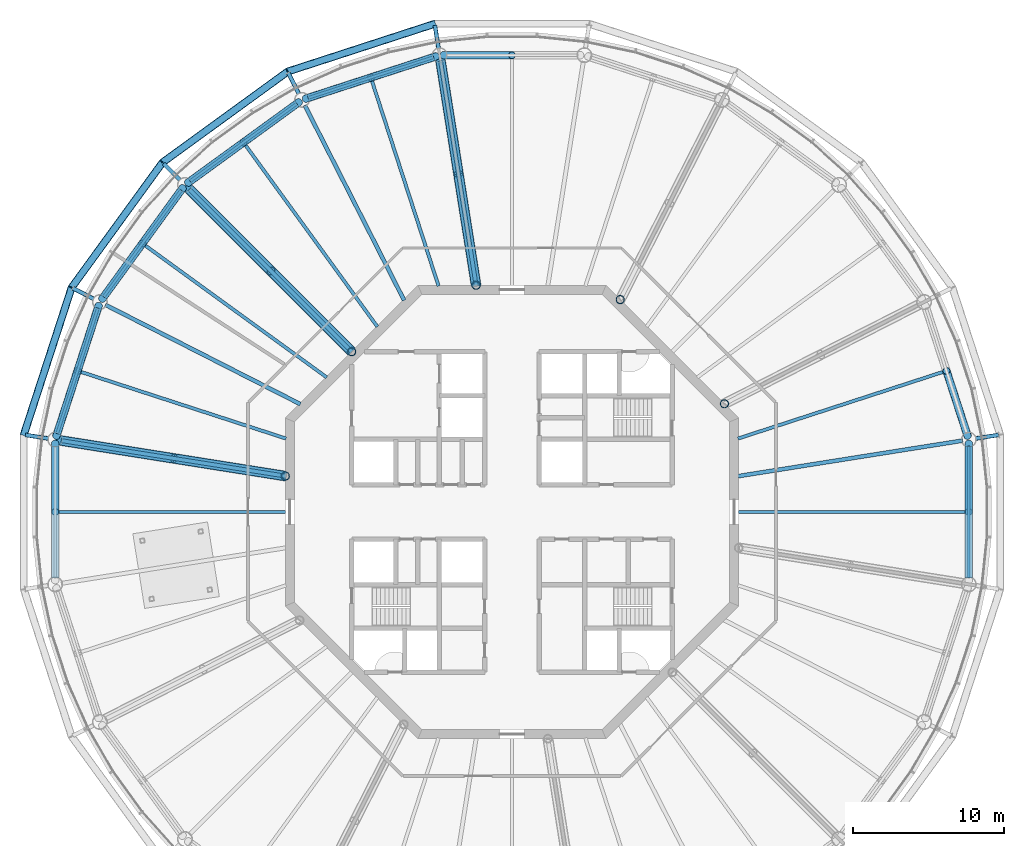
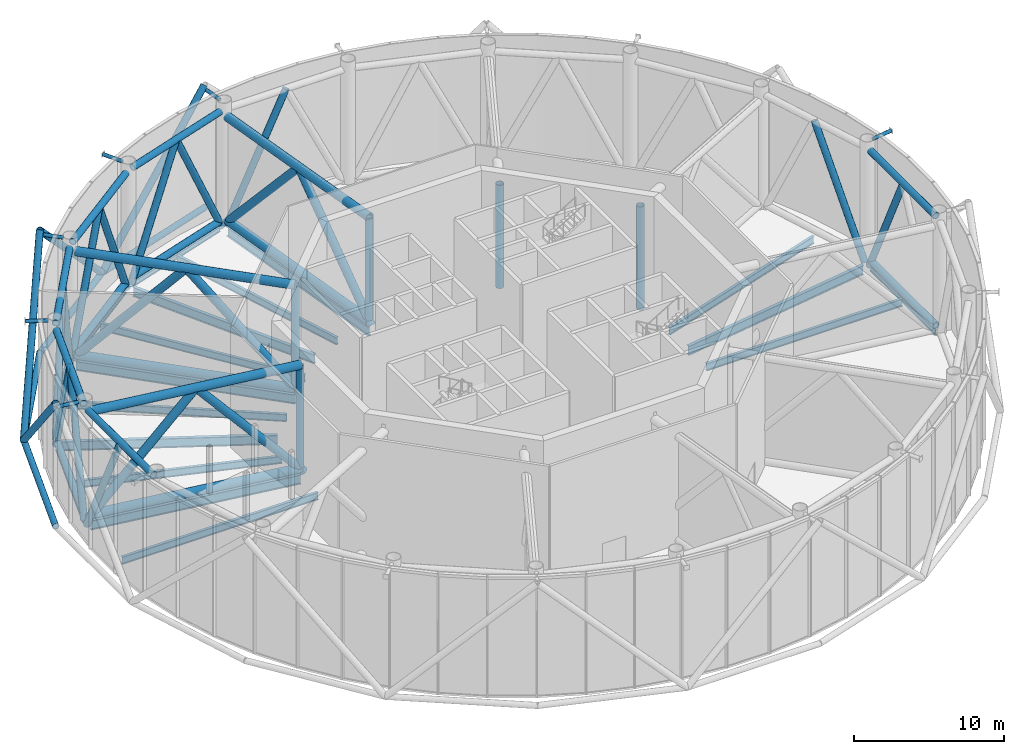
# One storey, part 3 of 23: 54 members, 18 beams.
"""IFC4 building model written with IfcOpenShell, lengths in metres."""

from ifc_helpers import new_model, si_unit, direction, frame, origin, origin_2d, place, context, subcontext, project, spatial, circle, hollow_circle, i_section, extrude, material, material_profile, profile_set, type_object, element, save


model = new_model("IFC4")

# Units and contexts
model_context = context("Model", 3, precision=1e-05, world=origin(), true_north=direction((0.0, 1.0)))
body_context = subcontext(model_context, "Body", "Model", "MODEL_VIEW")
ifc_project = project(units=[si_unit("LENGTHUNIT", "METRE"), si_unit("AREAUNIT", "SQUARE_METRE"), si_unit("VOLUMEUNIT", "CUBIC_METRE"), si_unit("PLANEANGLEUNIT", "RADIAN"), si_unit("MASSUNIT", "GRAM", prefix="KILO")], contexts=[model_context])

# Site, building, storey
site_placement = place(None, origin())
site = spatial("IfcSite", under=ifc_project, at=site_placement, CompositionType="ELEMENT")
building_placement = place(site_placement, origin())
building = spatial("IfcBuilding", under=site, at=building_placement, Name="Entoto Ring Tower", CompositionType="ELEMENT")
storey_placement = place(building_placement, frame((0.0, 0.0, 392.0)))
storey = spatial("IfcBuildingStorey", under=building, at=storey_placement, Name="L91", CompositionType="ELEMENT", Elevation=392.0)

# Members
ifc_material_1 = material(Name="Steel S355", Category="steel")
ifc_material_profile_1 = material_profile(ifc_material_1, hollow_circle(Radius=0.25390625, WallThickness=0.030029296875, at=origin_2d()), Name="CHS 508 x 30")
ifc_material_2 = material(Name="Concrete C60/75", Category="concrete")
ifc_material_profile_2 = material_profile(ifc_material_2, circle(Radius=0.22412109375, at=origin_2d()), Name="Concrete C60/75 infill")
ifc_profile_set_1 = profile_set([ifc_material_profile_1, ifc_material_profile_2], Name="Steel S355")
member_type_1 = type_object("IfcMemberType", Name="Diagrid diagonal 508 x 30 concrete-filled tube", PredefinedType="BRACE", material=ifc_profile_set_1)
member_1_placement = place(storey_placement, frame((75.154541015625, 109.135986328125, 0.0), z_axis=(0.680124223671, 0.220979790543, 0.698998549746), x_axis=(-0.309009448885, 0.95105896794, 0.0)))
element("IfcMember", 1, at=member_1_placement, inside=storey, type_object=member_type_1, Name="DG7 module 29 07", PredefinedType="BRACE", context=body_context, shape_type="SweptSolid", body=[
    extrude(hollow_circle(Radius=0.25390625, WallThickness=0.030029296875, at=origin_2d()), origin(), (0.0, 0.0, 1.0), 14.30615234375),
])
for number, where, z_axis, x_axis, name in (
    (2, (75.154541015625, 109.135986328125, 0.0), (-0.578545680196, -0.420350928989, 0.698992126153), (0.587797047665, -0.809008424404, 0.0), "DG7 module 29 08"),
    (3, (60.864013671875, 94.845458984375, 0.0), (0.420350928989, 0.578545680196, 0.698992126153), (-0.809008424404, 0.587797047665, 0.0), "DG7 module 29 09"),
):
    element("IfcMember", number, at=place(storey_placement, frame(where, z_axis=z_axis, x_axis=x_axis)), inside=storey, type_object=member_type_1, Name=name, PredefinedType="BRACE", context=body_context, shape_type="SweptSolid", body=[
        extrude(hollow_circle(Radius=0.25390625, WallThickness=0.030029296875, at=origin_2d()), origin(), (0.0, 0.0, 1.0), 14.306396484375),
    ])
member_2_placement = place(storey_placement, frame((60.864013671875, 94.845458984375, 0.0), z_axis=(-0.220979790543, -0.680124223671, 0.698998549746), x_axis=(0.95105896794, -0.309009448885, 0.0)))
element("IfcMember", 4, at=member_2_placement, inside=storey, type_object=member_type_1, Name="DG7 module 29 10", PredefinedType="BRACE", context=body_context, shape_type="SweptSolid", body=[
    extrude(hollow_circle(Radius=0.25390625, WallThickness=0.030029296875, at=origin_2d()), origin(), (0.0, 0.0, 1.0), 14.30615234375),
])
ifc_material_3 = material(Name="Steel S355", Category="steel")
ifc_material_profile_3 = material_profile(ifc_material_3, hollow_circle(Radius=0.136474609375, WallThickness=0.012451171875, at=origin_2d()), Name="CHS 273 x 12.5")
ifc_material_4 = material(Name="Concrete C60/75", Category="concrete")
ifc_material_profile_4 = material_profile(ifc_material_4, circle(Radius=0.1240234375, at=origin_2d()), Name="Concrete C60/75 infill")
ifc_profile_set_2 = profile_set([ifc_material_profile_3, ifc_material_profile_4], Name="Steel S355")
member_type_2 = type_object("IfcMemberType", Name="Diagrid node strut 273 x 12.5", PredefinedType="STRUT", material=ifc_profile_set_2)
member_3_placement = place(storey_placement, frame((85.14111328125, 110.678466796875, 9.71337890625), z_axis=(-0.156548977711, 0.987670196765, 0.0), x_axis=(-0.987670196765, -0.156548977711, 0.0)))
element("IfcMember", 5, at=member_3_placement, inside=storey, type_object=member_type_2, Name="DS2 strut ring 29 05", PredefinedType="STRUT", context=body_context, shape_type="SweptSolid", body=[
    extrude(hollow_circle(Radius=0.136474609375, WallThickness=0.012451171875, at=origin_2d()), origin(), (0.0, 0.0, 1.0), 1.539306640625),
])
member_4_placement = place(storey_placement, frame((75.898681640625, 107.675537109375, 9.71337890625), z_axis=(-0.453989939363, 0.891006809714, 0.0), x_axis=(-0.891006809714, -0.453989939363, 0.0)))
element("IfcMember", 6, at=member_4_placement, inside=storey, type_object=member_type_2, Name="DS2 strut ring 29 06", PredefinedType="STRUT", context=body_context, shape_type="SweptSolid", body=[
    extrude(hollow_circle(Radius=0.136474609375, WallThickness=0.012451171875, at=origin_2d()), origin(), (0.0, 0.0, 1.0), 1.5390625),
])
member_5_placement = place(storey_placement, frame((68.03662109375, 101.96337890625, 9.71337890625), z_axis=(-0.707106781187, 0.707106781187, 0.0), x_axis=(-0.707106781187, -0.707106781187, 0.0)))
element("IfcMember", 7, at=member_5_placement, inside=storey, type_object=member_type_2, Name="DS2 strut ring 29 07", PredefinedType="STRUT", context=body_context, shape_type="SweptSolid", body=[
    extrude(hollow_circle(Radius=0.136474609375, WallThickness=0.012451171875, at=origin_2d()), origin(), (0.0, 0.0, 1.0), 1.539306640625),
])
member_6_placement = place(storey_placement, frame((62.324462890625, 94.101318359375, 9.71337890625), z_axis=(-0.891006809714, 0.453989939363, 0.0), x_axis=(-0.453989939363, -0.891006809714, 0.0)))
element("IfcMember", 8, at=member_6_placement, inside=storey, type_object=member_type_2, Name="DS2 strut ring 29 08", PredefinedType="STRUT", context=body_context, shape_type="SweptSolid", body=[
    extrude(hollow_circle(Radius=0.136474609375, WallThickness=0.012451171875, at=origin_2d()), origin(), (0.0, 0.0, 1.0), 1.5390625),
])
for number, where, z_axis, x_axis, name in (
    (9, (59.321533203125, 84.85888671875, 9.71337890625), (-0.987670196765, 0.156548977711, 0.0), (-0.156548977711, -0.987670196765, 0.0), "DS2 strut ring 29 09"),
    (10, (120.678466796875, 84.85888671875, 9.71337890625), (0.987670196765, 0.156548977711, 0.0), (-0.156548977711, 0.987670196765, 0.0), "DS2 strut ring 29 20"),
):
    element("IfcMember", number, at=place(storey_placement, frame(where, z_axis=z_axis, x_axis=x_axis)), inside=storey, type_object=member_type_2, Name=name, PredefinedType="STRUT", context=body_context, shape_type="SweptSolid", body=[
        extrude(hollow_circle(Radius=0.136474609375, WallThickness=0.012451171875, at=origin_2d()), origin(), (0.0, 0.0, 1.0), 1.539306640625),
    ])
ifc_material_5 = material(Name="Steel S355", Category="steel")
ifc_material_profile_5 = material_profile(ifc_material_5, hollow_circle(Radius=0.228515625, WallThickness=0.02001953125, at=origin_2d()), Name="CHS 457 x 20")
ifc_material_6 = material(Name="Concrete C60/75", Category="concrete")
ifc_material_profile_6 = material_profile(ifc_material_6, circle(Radius=0.20849609375, at=origin_2d()), Name="Concrete C60/75 infill")
ifc_profile_set_3 = profile_set([ifc_material_profile_5, ifc_material_profile_6], Name="Steel S355")
member_type_3 = type_object("IfcMemberType", Name="Diagrid ring beam 457 x 20", PredefinedType="CHORD", material=ifc_profile_set_3)
member_7_placement = place(storey_placement, frame((84.93798828125, 112.314697265625, 0.0), z_axis=(-0.951061125206, -0.309002809244, 0.0), x_axis=(0.309002809244, -0.951061125206, 0.0)))
element("IfcMember", 11, at=member_7_placement, inside=storey, type_object=member_type_3, Name="DR3 ring 28 06", PredefinedType="CHORD", context=body_context, shape_type="SweptSolid", body=[
    extrude(hollow_circle(Radius=0.228515625, WallThickness=0.02001953125, at=origin_2d()), origin(), (0.0, 0.0, 1.0), 10.343017578125),
])
for number, where, z_axis, x_axis, name in (
    (12, (75.199951171875, 109.1689453125, 0.0), (-0.809019745966, -0.587781465034, 0.0), (0.587781465034, -0.809019745966, 0.0), "DR3 ring 28 07"),
    (13, (66.91064453125, 103.16796875, 0.0), (-0.587781465034, -0.809019745966, 0.0), (0.809019745966, -0.587781465034, 0.0), "DR3 ring 28 08"),
):
    element("IfcMember", number, at=place(storey_placement, frame(where, z_axis=z_axis, x_axis=x_axis)), inside=storey, type_object=member_type_3, Name=name, PredefinedType="CHORD", context=body_context, shape_type="SweptSolid", body=[
        extrude(hollow_circle(Radius=0.228515625, WallThickness=0.02001953125, at=origin_2d()), origin(), (0.0, 0.0, 1.0), 10.34326171875),
    ])
member_8_placement = place(storey_placement, frame((60.88134765625, 94.89892578125, 0.0), z_axis=(-0.309002809244, -0.951061125206, 0.0), x_axis=(0.951061125206, -0.309002809244, 0.0)))
element("IfcMember", 14, at=member_8_placement, inside=storey, type_object=member_type_3, Name="DR3 ring 28 09", PredefinedType="CHORD", context=body_context, shape_type="SweptSolid", body=[
    extrude(hollow_circle(Radius=0.228515625, WallThickness=0.02001953125, at=origin_2d()), origin(), (0.0, 0.0, 1.0), 10.343017578125),
])

# Beams
ifc_material_7 = material(Name="Steel S355", Category="steel")
ifc_material_profile_7 = material_profile(ifc_material_7, i_section(OverallWidth=0.179931640625, OverallDepth=0.39990234375, WebThickness=0.008544921875, FlangeThickness=0.013427734375, FilletRadius=0.02099609375, at=origin_2d()), Name="IPE 400")
ifc_profile_set_4 = profile_set([ifc_material_profile_7], Name="Steel S355")
beam_type_1 = type_object("IfcBeamType", Name="Edge beam IPE 400", PredefinedType="SPANDREL", material=ifc_profile_set_4)
beam_1_placement = place(storey_placement, frame((84.812744140625, 110.09326171875, -0.35009765625), z_axis=(-0.951052147972, -0.309030438368, 0.0), x_axis=(0.309030438368, -0.951052147972, 0.0)))
element("IfcBeam", 15, at=beam_1_placement, inside=storey, type_object=beam_type_1, Name="Edge beam L91 06", PredefinedType="SPANDREL", context=body_context, shape_type="SweptSolid", body=[
    extrude(i_section(OverallWidth=0.179931640625, OverallDepth=0.39990234375, WebThickness=0.008544921875, FlangeThickness=0.013427734375, FilletRadius=0.02099609375, at=origin_2d()), origin(), (0.0, 0.0, 1.0), 8.732177734375),
])
for number, where, z_axis, x_axis, name in (
    (16, (75.767333984375, 107.017333984375, -0.35009765625), (-0.80901045354, -0.587794254874, 0.0), (0.587794254874, -0.80901045354, 0.0), "Edge beam L91 07"),
    (17, (68.115234375, 101.296875, -0.35009765625), (-0.587794254874, -0.80901045354, 0.0), (0.80901045354, -0.587794254874, 0.0), "Edge beam L91 08"),
):
    element("IfcBeam", number, at=place(storey_placement, frame(where, z_axis=z_axis, x_axis=x_axis)), inside=storey, type_object=beam_type_1, Name=name, PredefinedType="SPANDREL", context=body_context, shape_type="SweptSolid", body=[
        extrude(i_section(OverallWidth=0.179931640625, OverallDepth=0.39990234375, WebThickness=0.008544921875, FlangeThickness=0.013427734375, FilletRadius=0.02099609375, at=origin_2d()), origin(), (0.0, 0.0, 1.0), 8.73193359375),
    ])
beam_2_placement = place(storey_placement, frame((62.605224609375, 93.491943359375, -0.35009765625), z_axis=(-0.309030438368, -0.951052147972, 0.0), x_axis=(0.951052147972, -0.309030438368, 0.0)))
element("IfcBeam", 18, at=beam_2_placement, inside=storey, type_object=beam_type_1, Name="Edge beam L91 09", PredefinedType="SPANDREL", context=body_context, shape_type="SweptSolid", body=[
    extrude(i_section(OverallWidth=0.179931640625, OverallDepth=0.39990234375, WebThickness=0.008544921875, FlangeThickness=0.013427734375, FilletRadius=0.02099609375, at=origin_2d()), origin(), (0.0, 0.0, 1.0), 8.732177734375),
])
beam_3_placement = place(storey_placement, frame((120.22314453125, 75.634033203125, -0.35009765625), z_axis=(0.0, 1.0, 0.0), x_axis=(-1.0, 0.0, 0.0)))
element("IfcBeam", 19, at=beam_3_placement, inside=storey, type_object=beam_type_1, Name="Edge beam L91 20", PredefinedType="SPANDREL", context=body_context, shape_type="SweptSolid", body=[
    extrude(i_section(OverallWidth=0.179931640625, OverallDepth=0.39990234375, WebThickness=0.008544921875, FlangeThickness=0.013427734375, FilletRadius=0.02099609375, at=origin_2d()), origin(), (0.0, 0.0, 1.0), 8.73193359375),
])

# Members
ifc_material_8 = material(Name="Steel S355", Category="steel")
ifc_material_profile_8 = material_profile(ifc_material_8, hollow_circle(Radius=0.330078125, WallThickness=0.031982421875, at=origin_2d()), Name="CHS 660 x 32")
ifc_material_9 = material(Name="Concrete C60/75", Category="concrete")
ifc_material_profile_9 = material_profile(ifc_material_9, circle(Radius=0.298095703125, at=origin_2d()), Name="Concrete C60/75 infill")
ifc_profile_set_5 = profile_set([ifc_material_profile_8, ifc_material_profile_9], Name="Steel S355")
member_type_4 = type_object("IfcMemberType", Name="Outrigger chord 660 x 32", PredefinedType="CHORD", material=ifc_profile_set_5)
for number, where, z_axis, x_axis, name in (
    (20, (87.635498046875, 94.9287109375, 0.330078125), (-0.15642824984, 0.987689324966, 0.0), (-0.987689324966, -0.15642824984, 0.0), "OR1C L91 bottom 03"),
    (21, (87.635498046875, 94.9287109375, 8.76708984375), (-0.15642824984, 0.987689324966, 0.0), (-0.987689324966, -0.15642824984, 0.0), "OR1C L91 top 03"),
):
    element("IfcMember", number, at=place(storey_placement, frame(where, z_axis=z_axis, x_axis=x_axis)), inside=storey, type_object=member_type_4, Name=name, PredefinedType="CHORD", context=body_context, shape_type="SweptSolid", body=[
        extrude(hollow_circle(Radius=0.330078125, WallThickness=0.031982421875, at=origin_2d()), origin(), (0.0, 0.0, 1.0), 15.129638671875),
    ])
for number, where, z_axis, x_axis, name in (
    (22, (79.407470703125, 90.592529296875, 0.330078125), (-0.707106781187, 0.707106781187, 0.0), (-0.707106781187, -0.707106781187, 0.0), "OR1C L91 bottom 04"),
    (23, (79.407470703125, 90.592529296875, 8.76708984375), (-0.707106781187, 0.707106781187, 0.0), (-0.707106781187, -0.707106781187, 0.0), "OR1C L91 top 04"),
):
    element("IfcMember", number, at=place(storey_placement, frame(where, z_axis=z_axis, x_axis=x_axis)), inside=storey, type_object=member_type_4, Name=name, PredefinedType="CHORD", context=body_context, shape_type="SweptSolid", body=[
        extrude(hollow_circle(Radius=0.330078125, WallThickness=0.031982421875, at=origin_2d()), origin(), (0.0, 0.0, 1.0), 15.26416015625),
    ])
for number, where, z_axis, x_axis, name in (
    (24, (75.0712890625, 82.364501953125, 0.330078125), (-0.987689324966, 0.15642824984, 0.0), (-0.15642824984, -0.987689324966, 0.0), "OR1C L91 bottom 05"),
    (25, (75.0712890625, 82.364501953125, 8.76708984375), (-0.987689324966, 0.15642824984, 0.0), (-0.15642824984, -0.987689324966, 0.0), "OR1C L91 top 05"),
):
    element("IfcMember", number, at=place(storey_placement, frame(where, z_axis=z_axis, x_axis=x_axis)), inside=storey, type_object=member_type_4, Name=name, PredefinedType="CHORD", context=body_context, shape_type="SweptSolid", body=[
        extrude(hollow_circle(Radius=0.330078125, WallThickness=0.031982421875, at=origin_2d()), origin(), (0.0, 0.0, 1.0), 15.129638671875),
    ])
ifc_material_10 = material(Name="Steel S355", Category="steel")
ifc_material_profile_10 = material_profile(ifc_material_10, hollow_circle(Radius=0.304931640625, WallThickness=0.030029296875, at=origin_2d()), Name="CHS 610 x 30")
ifc_material_11 = material(Name="Concrete C60/75", Category="concrete")
ifc_material_profile_11 = material_profile(ifc_material_11, circle(Radius=0.27490234375, at=origin_2d()), Name="Concrete C60/75 infill")
ifc_profile_set_6 = profile_set([ifc_material_profile_10, ifc_material_profile_11], Name="Steel S355")
member_type_5 = type_object("IfcMemberType", Name="Outrigger diagonal 610 x 30", PredefinedType="BRACE", material=ifc_profile_set_6)
member_9_placement = place(storey_placement, frame((87.662841796875, 94.756591796875, 0.051025390625), z_axis=(-0.103599263491, 0.654064799064, 0.749310637339), x_axis=(-0.987687039489, -0.156442679682, 0.0)))
element("IfcMember", 26, at=member_9_placement, inside=storey, type_object=member_type_5, Name="OR2C L91 03 1", PredefinedType="BRACE", context=body_context, shape_type="SweptSolid", body=[
    extrude(hollow_circle(Radius=0.304931640625, WallThickness=0.030029296875, at=origin_2d()), origin(), (0.0, 0.0, 1.0), 11.632080078125),
])
member_10_placement = place(storey_placement, frame((86.457763671875, 102.36474609375, 8.76708984375), z_axis=(-0.103599840338, 0.654067185785, -0.749308474236), x_axis=(-0.987686993101, -0.156442972546, 0.0)))
element("IfcMember", 27, at=member_10_placement, inside=storey, type_object=member_type_5, Name="OR2C L91 03 2", PredefinedType="BRACE", context=body_context, shape_type="SweptSolid", body=[
    extrude(hollow_circle(Radius=0.304931640625, WallThickness=0.030029296875, at=origin_2d()), origin(), (0.0, 0.0, 1.0), 11.625),
])
for number, where, z_axis, x_axis, name in (
    (28, (79.5634765625, 90.4365234375, 0.06103515625), (-0.471527984859, 0.471527984859, 0.745199784615), (-0.707106781187, -0.707106781187, 0.0), "OR2C L91 04 1"),
    (29, (74.0546875, 95.9453125, 8.76708984375), (-0.471527984859, 0.471527984859, -0.745199784615), (-0.707106781187, -0.707106781187, 0.0), "OR2C L91 04 2"),
):
    element("IfcMember", number, at=place(storey_placement, frame(where, z_axis=z_axis, x_axis=x_axis)), inside=storey, type_object=member_type_5, Name=name, PredefinedType="BRACE", context=body_context, shape_type="SweptSolid", body=[
        extrude(hollow_circle(Radius=0.304931640625, WallThickness=0.030029296875, at=origin_2d()), origin(), (0.0, 0.0, 1.0), 11.682861328125),
    ])
member_11_placement = place(storey_placement, frame((75.243408203125, 82.337158203125, 0.051025390625), z_axis=(-0.654064799064, 0.103599263491, 0.749310637339), x_axis=(-0.156442679682, -0.987687039489, 0.0)))
element("IfcMember", 30, at=member_11_placement, inside=storey, type_object=member_type_5, Name="OR2C L91 05 1", PredefinedType="BRACE", context=body_context, shape_type="SweptSolid", body=[
    extrude(hollow_circle(Radius=0.304931640625, WallThickness=0.030029296875, at=origin_2d()), origin(), (0.0, 0.0, 1.0), 11.632080078125),
])
member_12_placement = place(storey_placement, frame((67.63525390625, 83.542236328125, 8.76708984375), z_axis=(-0.654067185785, 0.103599840338, -0.749308474236), x_axis=(-0.156442972546, -0.987686993101, 0.0)))
element("IfcMember", 31, at=member_12_placement, inside=storey, type_object=member_type_5, Name="OR2C L91 05 2", PredefinedType="BRACE", context=body_context, shape_type="SweptSolid", body=[
    extrude(hollow_circle(Radius=0.304931640625, WallThickness=0.030029296875, at=origin_2d()), origin(), (0.0, 0.0, 1.0), 11.625),
])
ifc_material_12 = material(Name="Steel S355", Category="steel")
ifc_material_profile_12 = material_profile(ifc_material_12, hollow_circle(Radius=0.279541015625, WallThickness=0.031982421875, at=origin_2d()), Name="CHS 559 x 32")
ifc_material_13 = material(Name="Concrete C60/75", Category="concrete")
ifc_material_profile_13 = material_profile(ifc_material_13, circle(Radius=0.24755859375, at=origin_2d()), Name="Concrete C60/75 infill")
ifc_profile_set_7 = profile_set([ifc_material_profile_12, ifc_material_profile_13], Name="Steel S355")
member_type_6 = type_object("IfcMemberType", Name="Outrigger post 559 x 32", PredefinedType="POST", material=ifc_profile_set_7)
for number, where, z_axis, x_axis, name in (
    (32, (104.052978515625, 87.160400390625, 0.330078125), (0.0, 0.0, 1.0), (1.0, 0.0, 0.0), "OR3A L91 01"),
    (33, (97.160400390625, 94.052978515625, 0.330078125), (0.0, 0.0, 1.0), (1.0, 0.0, 0.0), "OR3A L91 02"),
    (34, (87.624267578125, 95.0, 0.330078125), (0.0, 0.0, 1.0), (1.0, 0.0, 0.0), "OR3A L91 03"),
    (35, (79.393310546875, 90.606689453125, 0.330078125), (0.0, 0.0, 1.0), (1.0, 0.0, 0.0), "OR3A L91 04"),
    (36, (75.0, 82.375732421875, 0.330078125), (0.0, 0.0, 1.0), (1.0, 0.0, 0.0), "OR3A L91 05"),
):
    element("IfcMember", number, at=place(storey_placement, frame(where, z_axis=z_axis, x_axis=x_axis)), inside=storey, type_object=member_type_6, Name=name, PredefinedType="POST", context=body_context, shape_type="SweptSolid", body=[
        extrude(hollow_circle(Radius=0.279541015625, WallThickness=0.031982421875, at=origin_2d()), origin(), (0.0, 0.0, 1.0), 8.43701171875),
    ])

# Beams
ifc_material_14 = material(Name="Steel S355", Category="steel")
ifc_material_profile_14 = material_profile(ifc_material_14, i_section(OverallWidth=0.262939453125, OverallDepth=0.7529296875, WebThickness=0.011474609375, FlangeThickness=0.01708984375, FilletRadius=0.01708984375, at=origin_2d()), Name="IPE 750 x 137")
ifc_profile_set_8 = profile_set([ifc_material_profile_14], Name="Steel S355")
beam_type_2 = type_object("IfcBeamType", Name="Primary floor beam IPE 750 x 137", PredefinedType="BEAM", material=ifc_profile_set_8)
for number, where, z_axis, x_axis, name in (
    (37, (104.959716796875, 82.369384765625, -0.526611328125), (0.987688638122, 0.156432586517, 0.0), (-0.156432586517, 0.987688638122, 0.0), "Primary L91 R01"),
    (38, (87.630615234375, 94.959716796875, -0.526611328125), (-0.156432586517, 0.987688638122, 0.0), (-0.987688638122, -0.156432586517, 0.0), "Primary L91 R06"),
):
    element("IfcBeam", number, at=place(storey_placement, frame(where, z_axis=z_axis, x_axis=x_axis)), inside=storey, type_object=beam_type_2, Name=name, PredefinedType="BEAM", context=body_context, shape_type="SweptSolid", body=[
        extrude(i_section(OverallWidth=0.262939453125, OverallDepth=0.7529296875, WebThickness=0.011474609375, FlangeThickness=0.01708984375, FilletRadius=0.01708984375, at=origin_2d()), origin(), (0.0, 0.0, 1.0), 15.04345703125),
    ])
beam_4_placement = place(storey_placement, frame((82.8681640625, 93.9970703125, -0.526611328125), z_axis=(-0.453991952968, 0.89100578373, 0.0), x_axis=(-0.89100578373, -0.453991952968, 0.0)))
element("IfcBeam", 39, at=beam_4_placement, inside=storey, type_object=beam_type_2, Name="Primary L91 R07", PredefinedType="BEAM", context=body_context, shape_type="SweptSolid", body=[
    extrude(i_section(OverallWidth=0.262939453125, OverallDepth=0.7529296875, WebThickness=0.011474609375, FlangeThickness=0.01708984375, FilletRadius=0.01708984375, at=origin_2d()), origin(), (0.0, 0.0, 1.0), 14.48046875),
])
beam_5_placement = place(storey_placement, frame((79.407470703125, 90.592529296875, -0.526611328125), z_axis=(-0.707106781187, 0.707106781187, 0.0), x_axis=(-0.707106781187, -0.707106781187, 0.0)))
element("IfcBeam", 40, at=beam_5_placement, inside=storey, type_object=beam_type_2, Name="Primary L91 R08", PredefinedType="BEAM", context=body_context, shape_type="SweptSolid", body=[
    extrude(i_section(OverallWidth=0.262939453125, OverallDepth=0.7529296875, WebThickness=0.011474609375, FlangeThickness=0.01708984375, FilletRadius=0.01708984375, at=origin_2d()), origin(), (0.0, 0.0, 1.0), 15.209716796875),
])
beam_6_placement = place(storey_placement, frame((76.0029296875, 87.1318359375, -0.526611328125), z_axis=(-0.89100578373, 0.453991952968, 0.0), x_axis=(-0.453991952968, -0.89100578373, 0.0)))
element("IfcBeam", 41, at=beam_6_placement, inside=storey, type_object=beam_type_2, Name="Primary L91 R09", PredefinedType="BEAM", context=body_context, shape_type="SweptSolid", body=[
    extrude(i_section(OverallWidth=0.262939453125, OverallDepth=0.7529296875, WebThickness=0.011474609375, FlangeThickness=0.01708984375, FilletRadius=0.01708984375, at=origin_2d()), origin(), (0.0, 0.0, 1.0), 14.48046875),
])
beam_7_placement = place(storey_placement, frame((75.040283203125, 82.369384765625, -0.526611328125), z_axis=(-0.987688638122, 0.156432586517, 0.0), x_axis=(-0.156432586517, -0.987688638122, 0.0)))
element("IfcBeam", 42, at=beam_7_placement, inside=storey, type_object=beam_type_2, Name="Primary L91 R10", PredefinedType="BEAM", context=body_context, shape_type="SweptSolid", body=[
    extrude(i_section(OverallWidth=0.262939453125, OverallDepth=0.7529296875, WebThickness=0.011474609375, FlangeThickness=0.01708984375, FilletRadius=0.01708984375, at=origin_2d()), origin(), (0.0, 0.0, 1.0), 15.04345703125),
])

# Members
ifc_material_15 = material(Name="Steel S355", Category="steel")
ifc_material_profile_15 = material_profile(ifc_material_15, hollow_circle(Radius=0.25390625, WallThickness=0.030029296875, at=origin_2d()), Name="CHS 508 x 30")
ifc_material_16 = material(Name="Concrete C60/75", Category="concrete")
ifc_material_profile_16 = material_profile(ifc_material_16, circle(Radius=0.22412109375, at=origin_2d()), Name="Concrete C60/75 infill")
ifc_profile_set_9 = profile_set([ifc_material_profile_15, ifc_material_profile_16], Name="Steel S355")
member_type_7 = type_object("IfcMemberType", Name="Ring truss chord 508 x 30", PredefinedType="CHORD", material=ifc_profile_set_9)
for number, where, z_axis, x_axis, name in (
    (43, (84.822509765625, 110.096435546875, 0.25390625), (-0.951052105555, -0.309030568907, 0.0), (0.309030568907, -0.951052105555, 0.0), "BT1 L91 bottom 06"),
    (44, (84.822509765625, 110.096435546875, 9.196044921875), (-0.951052105555, -0.309030568907, 0.0), (0.309030568907, -0.951052105555, 0.0), "BT1 L91 top 06"),
):
    element("IfcMember", number, at=place(storey_placement, frame(where, z_axis=z_axis, x_axis=x_axis)), inside=storey, type_object=member_type_7, Name=name, PredefinedType="CHORD", context=body_context, shape_type="SweptSolid", body=[
        extrude(hollow_circle(Radius=0.25390625, WallThickness=0.030029296875, at=origin_2d()), origin(), (0.0, 0.0, 1.0), 8.752685546875),
    ])
for number, where, z_axis, x_axis, name in (
    (45, (75.775634765625, 107.0234375, 0.25390625), (-0.809015839564, -0.58778684175, 0.0), (0.58778684175, -0.809015839564, 0.0), "BT1 L91 bottom 07"),
    (46, (75.775634765625, 107.0234375, 9.196044921875), (-0.809015839564, -0.58778684175, 0.0), (0.58778684175, -0.809015839564, 0.0), "BT1 L91 top 07"),
    (47, (68.12109375, 101.30517578125, 0.25390625), (-0.58778684175, -0.809015839564, 0.0), (0.809015839564, -0.58778684175, 0.0), "BT1 L91 bottom 08"),
    (48, (68.12109375, 101.30517578125, 9.196044921875), (-0.58778684175, -0.809015839564, 0.0), (0.809015839564, -0.58778684175, 0.0), "BT1 L91 top 08"),
):
    element("IfcMember", number, at=place(storey_placement, frame(where, z_axis=z_axis, x_axis=x_axis)), inside=storey, type_object=member_type_7, Name=name, PredefinedType="CHORD", context=body_context, shape_type="SweptSolid", body=[
        extrude(hollow_circle(Radius=0.25390625, WallThickness=0.030029296875, at=origin_2d()), origin(), (0.0, 0.0, 1.0), 8.75244140625),
    ])
for number, where, z_axis, x_axis, name in (
    (49, (62.6083984375, 93.501708984375, 0.25390625), (-0.309030568907, -0.951052105555, 0.0), (0.951052105555, -0.309030568907, 0.0), "BT1 L91 bottom 09"),
    (50, (62.6083984375, 93.501708984375, 9.196044921875), (-0.309030568907, -0.951052105555, 0.0), (0.951052105555, -0.309030568907, 0.0), "BT1 L91 top 09"),
):
    element("IfcMember", number, at=place(storey_placement, frame(where, z_axis=z_axis, x_axis=x_axis)), inside=storey, type_object=member_type_7, Name=name, PredefinedType="CHORD", context=body_context, shape_type="SweptSolid", body=[
        extrude(hollow_circle(Radius=0.25390625, WallThickness=0.030029296875, at=origin_2d()), origin(), (0.0, 0.0, 1.0), 8.752685546875),
    ])
for number, where, z_axis, x_axis, name in (
    (51, (59.77685546875, 84.376220703125, 9.196044921875), (0.0, -1.0, 0.0), (1.0, 0.0, 0.0), "BT1 L91 top 10"),
    (52, (120.22314453125, 75.623779296875, 0.25390625), (0.0, 1.0, 0.0), (-1.0, 0.0, 0.0), "BT1 L91 bottom 20"),
    (53, (120.22314453125, 75.623779296875, 9.196044921875), (0.0, 1.0, 0.0), (-1.0, 0.0, 0.0), "BT1 L91 top 20"),
):
    element("IfcMember", number, at=place(storey_placement, frame(where, z_axis=z_axis, x_axis=x_axis)), inside=storey, type_object=member_type_7, Name=name, PredefinedType="CHORD", context=body_context, shape_type="SweptSolid", body=[
        extrude(hollow_circle(Radius=0.25390625, WallThickness=0.030029296875, at=origin_2d()), origin(), (0.0, 0.0, 1.0), 8.75244140625),
    ])
ifc_material_17 = material(Name="Steel S355", Category="steel")
ifc_material_profile_17 = material_profile(ifc_material_17, hollow_circle(Radius=0.25390625, WallThickness=0.02490234375, at=origin_2d()), Name="CHS 508 x 25")
ifc_material_18 = material(Name="Concrete C60/75", Category="concrete")
ifc_material_profile_18 = material_profile(ifc_material_18, circle(Radius=0.22900390625, at=origin_2d()), Name="Concrete C60/75 infill")
ifc_profile_set_10 = profile_set([ifc_material_profile_17, ifc_material_profile_18], Name="Steel S355")
member_type_8 = type_object("IfcMemberType", Name="Ring truss diagonal 508 x 25", PredefinedType="BRACE", material=ifc_profile_set_10)
for number, where, z_axis, x_axis, name in (
    (54, (120.142333984375, 85.036376953125, -0.241943359375), (-0.133587071211, 0.411141211308, 0.901730225051), (-0.951057064429, -0.309015307386, 0.0), "BT2A L91 01 a"),
    (55, (90.0, 110.22314453125, 9.196044921875), (-0.432298018271, 0.0, -0.901730793197), (0.0, -1.0, 0.0), "BT2A L91 05 b"),
    (56, (84.963623046875, 110.142333984375, -0.241943359375), (-0.411141211308, -0.133587071211, 0.901730225051), (0.309015307386, -0.951057064429, 0.0), "BT2A L91 06 a"),
    (57, (80.660400390625, 108.744140625, 9.196044921875), (-0.411121828123, -0.133588352321, -0.901738872715), (0.309031165827, -0.951051911595, 0.0), "BT2A L91 06 b"),
    (58, (75.895751953125, 107.110595703125, -0.241943359375), (-0.349747314022, -0.254088134697, 0.901729469486), (0.587757752962, -0.809036973094, 0.0), "BT2A L91 07 a"),
    (59, (72.235107421875, 104.451171875, 9.196044921875), (-0.349726841242, -0.25409020754, -0.901736825768), (0.587783411479, -0.809018331801, 0.0), "BT2A L91 07 b"),
    (60, (68.208251953125, 101.42529296875, -0.241943359375), (-0.25409020754, -0.349726841242, 0.901736825768), (0.809018331801, -0.587783411479, 0.0), "BT2A L91 08 a"),
    (61, (65.548828125, 97.764892578125, 9.196044921875), (-0.254088134697, -0.349747314022, -0.901729469486), (0.809036973094, -0.587757752962, 0.0), "BT2A L91 08 b"),
    (62, (62.654052734375, 93.642578125, -0.241943359375), (-0.133588352321, -0.411121828123, 0.901738872715), (0.951051911595, -0.309031165827, 0.0), "BT2A L91 09 a"),
    (63, (61.255859375, 89.339599609375, 9.196044921875), (-0.133587071211, -0.411141211308, -0.901730225051), (0.951057064429, -0.309015307386, 0.0), "BT2A L91 09 b"),
    (64, (59.77685546875, 84.524658203125, -0.241943359375), (0.0, -0.432298018271, 0.901730793197), (1.0, 0.0, 0.0), "BT2A L91 10 a"),
    (65, (120.22314453125, 80.0, 9.196044921875), (0.0, 0.432298018271, -0.901730793197), (-1.0, 0.0, 0.0), "BT2A L91 20 b"),
):
    element("IfcMember", number, at=place(storey_placement, frame(where, z_axis=z_axis, x_axis=x_axis)), inside=storey, type_object=member_type_8, Name=name, PredefinedType="BRACE", context=body_context, shape_type="SweptSolid", body=[
        extrude(hollow_circle(Radius=0.25390625, WallThickness=0.02490234375, at=origin_2d()), origin(), (0.0, 0.0, 1.0), 10.466552734375),
    ])

# Beams
ifc_material_19 = material(Name="Steel S355", Category="steel")
ifc_material_profile_19 = material_profile(ifc_material_19, i_section(OverallWidth=0.219970703125, OverallDepth=0.60009765625, WebThickness=0.011962890625, FlangeThickness=0.01904296875, FilletRadius=0.02392578125, at=origin_2d()), Name="IPE 600")
ifc_profile_set_11 = profile_set([ifc_material_profile_19], Name="Steel S355")
beam_type_3 = type_object("IfcBeamType", Name="Secondary floor beam IPE 600", PredefinedType="JOIST", material=ifc_profile_set_11)
for number, where, z_axis, x_axis, name in (
    (66, (104.947021484375, 84.856689453125, -0.449951171875), (0.951057212949, 0.309014850288, 0.0), (-0.309014850288, 0.951057212949, 0.0), "Secondary beam L91 01"),
    (67, (85.143310546875, 94.947021484375, -0.449951171875), (-0.309014850288, 0.951057212949, 0.0), (-0.951057212949, -0.309014850288, 0.0), "Secondary beam L91 06"),
):
    element("IfcBeam", number, at=place(storey_placement, frame(where, z_axis=z_axis, x_axis=x_axis)), inside=storey, type_object=beam_type_3, Name=name, PredefinedType="JOIST", context=body_context, shape_type="SweptSolid", body=[
        extrude(i_section(OverallWidth=0.219970703125, OverallDepth=0.60009765625, WebThickness=0.011962890625, FlangeThickness=0.01904296875, FilletRadius=0.02392578125, at=origin_2d()), origin(), (0.0, 0.0, 1.0), 14.4169921875),
    ])
for number, where, z_axis, x_axis, name in (
    (68, (81.09521484375, 92.25634765625, -0.449951171875), (-0.587782163866, 0.809019238239, 0.0), (-0.809019238239, -0.587782163866, 0.0), "Secondary beam L91 07"),
    (69, (77.74365234375, 88.90478515625, -0.449951171875), (-0.809019238239, 0.587782163866, 0.0), (-0.587782163866, -0.809019238239, 0.0), "Secondary beam L91 08"),
):
    element("IfcBeam", number, at=place(storey_placement, frame(where, z_axis=z_axis, x_axis=x_axis)), inside=storey, type_object=beam_type_3, Name=name, PredefinedType="JOIST", context=body_context, shape_type="SweptSolid", body=[
        extrude(i_section(OverallWidth=0.219970703125, OverallDepth=0.60009765625, WebThickness=0.011962890625, FlangeThickness=0.01904296875, FilletRadius=0.02392578125, at=origin_2d()), origin(), (0.0, 0.0, 1.0), 14.983642578125),
    ])
beam_8_placement = place(storey_placement, frame((75.052978515625, 84.856689453125, -0.449951171875), z_axis=(-0.951057212949, 0.309014850288, 0.0), x_axis=(-0.309014850288, -0.951057212949, 0.0)))
element("IfcBeam", 70, at=beam_8_placement, inside=storey, type_object=beam_type_3, Name="Secondary beam L91 09", PredefinedType="JOIST", context=body_context, shape_type="SweptSolid", body=[
    extrude(i_section(OverallWidth=0.219970703125, OverallDepth=0.60009765625, WebThickness=0.011962890625, FlangeThickness=0.01904296875, FilletRadius=0.02392578125, at=origin_2d()), origin(), (0.0, 0.0, 1.0), 14.4169921875),
])
for number, where, z_axis, x_axis, name in (
    (71, (75.02001953125, 80.0, -0.449951171875), (-1.0, 0.0, 0.0), (0.0, -1.0, 0.0), "Secondary beam L91 10"),
    (72, (104.97998046875, 80.0, -0.449951171875), (1.0, 0.0, 0.0), (0.0, 1.0, 0.0), "Secondary beam L91 20"),
):
    element("IfcBeam", number, at=place(storey_placement, frame(where, z_axis=z_axis, x_axis=x_axis)), inside=storey, type_object=beam_type_3, Name=name, PredefinedType="JOIST", context=body_context, shape_type="SweptSolid", body=[
        extrude(i_section(OverallWidth=0.219970703125, OverallDepth=0.60009765625, WebThickness=0.011962890625, FlangeThickness=0.01904296875, FilletRadius=0.02392578125, at=origin_2d()), origin(), (0.0, 0.0, 1.0), 15.1533203125),
    ])

save(model, "model.ifc")
